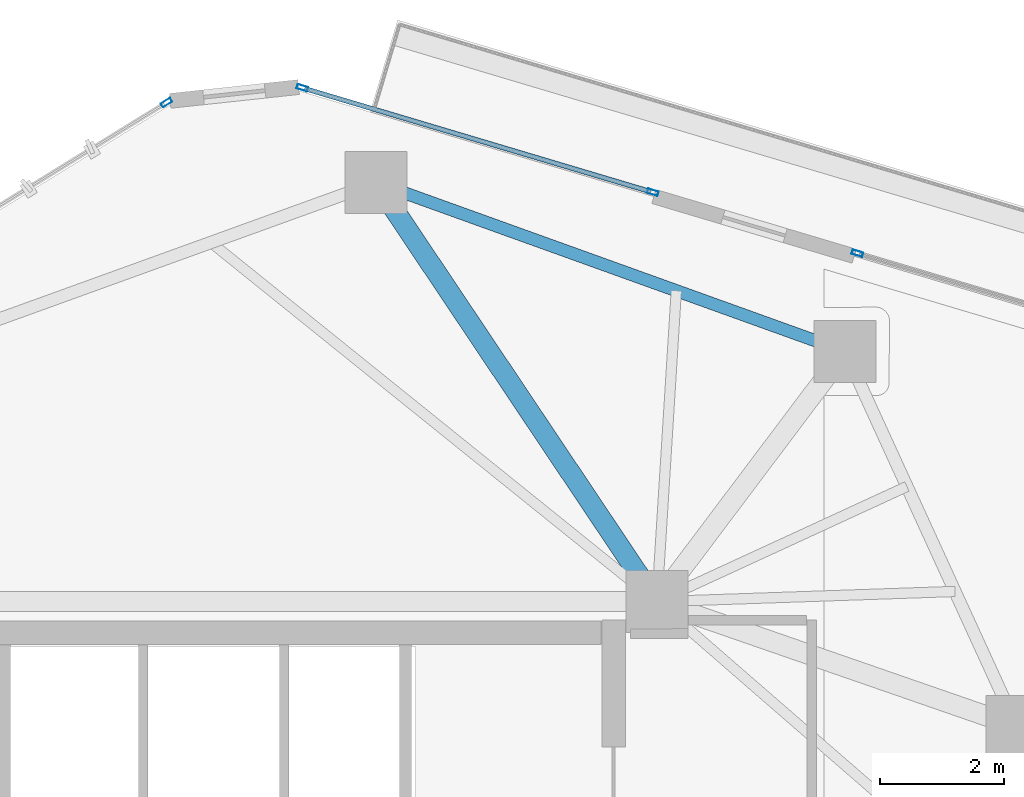
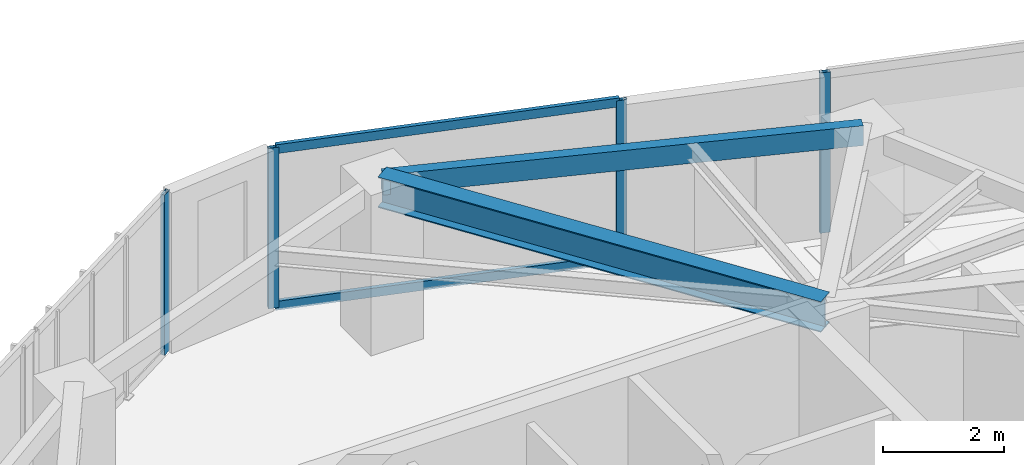
# One storey, part 13 of 21: 6 members, 2 beams, 3 elements without a shape of their own.
"""IFC4 building model written with IfcOpenShell, lengths in metres."""

from ifc_helpers import new_model, si_unit, direction, frame, origin, origin_2d, place, context, subcontext, project, spatial, hollow_rectangle, i_section, extrude, source, transform, mapped, material, layer, layer_set, material_profile, profile_set, type_object, type_shapes, element, aggregate, save


model = new_model("IFC4")

# Units and contexts
model_context = context("Model", 3, precision=1e-05, world=origin(), true_north=direction((0.0, 1.0)))
body_context = subcontext(model_context, "Body", "Model", "MODEL_VIEW")
ifc_project = project(units=[si_unit("LENGTHUNIT", "METRE"), si_unit("AREAUNIT", "SQUARE_METRE"), si_unit("VOLUMEUNIT", "CUBIC_METRE"), si_unit("PLANEANGLEUNIT", "RADIAN"), si_unit("MASSUNIT", "GRAM", prefix="KILO")], contexts=[model_context])

# Site, building, storey
site_placement = place(None, origin())
site = spatial("IfcSite", under=ifc_project, at=site_placement, CompositionType="ELEMENT")
building_placement = place(site_placement, origin())
building = spatial("IfcBuilding", under=site, at=building_placement, Name="Talar Marvaseh", CompositionType="ELEMENT")
storey_placement = place(building_placement, frame((0.0, 0.0, 184.5)))
storey = spatial("IfcBuildingStorey", under=building, at=storey_placement, Name="L48", CompositionType="ELEMENT", Elevation=184.5)

# Beams
ifc_material_1 = material(Name="Steel S355", Category="steel")
ifc_material_profile_1 = material_profile(ifc_material_1, hollow_rectangle(XDim=0.199951171875, YDim=0.39990234375, WallThickness=0.013916015625, at=origin_2d()), Name="RHS400x200x14")
ifc_profile_set_1 = profile_set([ifc_material_profile_1], Name="Steel S355")
beam_type_1 = type_object("IfcBeamType", Name="Zone 3 Perimeter Spandrel Beam RHS400x200x14", PredefinedType="SPANDREL", material=ifc_profile_set_1)
beam_1_placement = place(storey_placement, frame((28.76611328125, 43.66796875, 3.030029296875), z_axis=(0.940923359576, -0.3386195969, 0.0), x_axis=(0.3386195969, 0.940923359576, 0.0)))
element("IfcBeam", 1, at=beam_1_placement, inside=storey, type_object=beam_type_1, Name="L48 Zone 3 Perimeter Spandrel Beam RHS400x200x14", PredefinedType="SPANDREL", context=body_context, shape_type="SweptSolid", body=[
    extrude(hollow_rectangle(XDim=0.199951171875, YDim=0.39990234375, WallThickness=0.013916015625, at=origin_2d()), origin(), (0.0, 0.0, 1.0), 8.050537109375),
])
ifc_material_profile_2 = material_profile(ifc_material_1, i_section(OverallWidth=0.324951171875, OverallDepth=0.615966796875, WebThickness=0.013916015625, FlangeThickness=0.021484375, at=origin_2d()), Name="W610x174")
ifc_profile_set_2 = profile_set([ifc_material_profile_2], Name="Steel S355")
beam_type_2 = type_object("IfcBeamType", Name="Zone 3 Radial Floor Girder W610x174", PredefinedType="BEAM", material=ifc_profile_set_2)
beam_2_placement = place(storey_placement, frame((28.76611328125, 43.66796875, 2.922119140625), z_axis=(0.556559209375, -0.830807948, 0.0), x_axis=(0.830807948, 0.556559209375, 0.0)))
element("IfcBeam", 2, at=beam_2_placement, inside=storey, type_object=beam_type_2, Name="L48 Zone 3 Radial Floor Girder W610x174", PredefinedType="BEAM", context=body_context, shape_type="SweptSolid", body=[
    extrude(i_section(OverallWidth=0.324951171875, OverallDepth=0.615966796875, WebThickness=0.013916015625, FlangeThickness=0.021484375, at=origin_2d()), origin(), (0.0, 0.0, 1.0), 8.146484375),
])

# Curtain wall, member
ifc_material_2 = material(Name="Architectural Aluminium", Category="aluminium")
ifc_layer = layer(ifc_material_2, 0.18994140625)
ifc_layer_set = layer_set([ifc_layer], Name="Architectural Aluminium")
curtain_wall_type = type_object("IfcCurtainWallType", Name="Unitised Solar Atelier Curtain Wall Z3", PredefinedType="NOTDEFINED", material=ifc_layer_set)
curtain_wall_1_placement = place(storey_placement, origin())
curtain_wall_1 = element("IfcCurtainWall", 3, at=curtain_wall_1_placement, inside=storey, type_object=curtain_wall_type, Name="L48 Unitised Solar Atelier Curtain Wall Z3", PredefinedType="NOTDEFINED")
ifc_material_profile_3 = material_profile(ifc_material_2, hollow_rectangle(XDim=0.074951171875, YDim=0.179931640625, WallThickness=0.0048828125, at=origin_2d()), Name="RHS180x75x5")
ifc_profile_set_3 = profile_set([ifc_material_profile_3], Name="Architectural Aluminium")
member_type_1 = type_object("IfcMemberType", Name="Unitised Curtain Wall Standard Mullion RHS180x75x5", PredefinedType="MULLION", material=ifc_profile_set_3)
shared_shape_1 = source(origin(), body_context, "Body", "SweptSolid", [
    extrude(hollow_rectangle(XDim=0.074951171875, YDim=0.179931640625, WallThickness=0.0048828125, at=origin_2d()), origin(), (0.0, 0.0, 1.0), 3.22998046875),
])
type_shapes(member_type_1, [shared_shape_1])
member_1_placement = place(storey_placement, frame((25.37939453125, 44.9619140625, 0.0), z_axis=(0.0, 0.0, 1.0), x_axis=(-0.525203385249, 0.850976735359, 0.0)))
member_1 = element("IfcMember", 4, at=member_1_placement, type_object=member_type_1, Name="CW-Z3 mullion 4", PredefinedType="MULLION", context=body_context, shape_type="MappedRepresentation", body=[
    mapped(shared_shape_1, transform((0.0, 0.0, 0.0), x_axis=(1.0, 0.0, 0.0), y_axis=(0.0, 1.0, 0.0), z_axis=(0.0, 0.0, 1.0), scale=1.0)),
])
aggregate(curtain_wall_1, [member_1])

# Curtain wall, members
curtain_wall_2_placement = place(storey_placement, origin())
curtain_wall_2 = element("IfcCurtainWall", 5, at=curtain_wall_2_placement, inside=storey, type_object=curtain_wall_type, Name="L48 Unitised Solar Atelier Curtain Wall Z3", PredefinedType="NOTDEFINED")
member_2_placement = place(storey_placement, frame((27.57275390625, 45.199951171875, 0.0), z_axis=(0.0, 0.0, 1.0), x_axis=(0.285629795133, 0.958340033669, 0.0)))
member_2 = element("IfcMember", 6, at=member_2_placement, type_object=member_type_1, Name="CW-Z3 mullion 1", PredefinedType="MULLION", context=body_context, shape_type="MappedRepresentation", body=[
    mapped(shared_shape_1, transform((0.0, 0.0, 0.0), x_axis=(1.0, 0.0, 0.0), y_axis=(0.0, 1.0, 0.0), z_axis=(0.0, 0.0, 1.0), scale=1.0)),
])
member_3_placement = place(storey_placement, frame((33.233642578125, 43.5126953125, 0.0), z_axis=(0.0, 0.0, 1.0), x_axis=(0.285629795133, 0.958340033669, 0.0)))
member_3 = element("IfcMember", 7, at=member_3_placement, type_object=member_type_1, Name="CW-Z3 mullion 2", PredefinedType="MULLION", context=body_context, shape_type="MappedRepresentation", body=[
    mapped(shared_shape_1, transform((0.0, 0.0, 0.0), x_axis=(1.0, 0.0, 0.0), y_axis=(0.0, 1.0, 0.0), z_axis=(0.0, 0.0, 1.0), scale=1.0)),
])

# Curtain wall, member
curtain_wall_3_placement = place(storey_placement, origin())
curtain_wall_3 = element("IfcCurtainWall", 8, at=curtain_wall_3_placement, inside=storey, type_object=curtain_wall_type, Name="L48 Unitised Solar Atelier Curtain Wall Z3", PredefinedType="NOTDEFINED")
member_4_placement = place(storey_placement, frame((36.53955078125, 42.527587890625, 0.0), z_axis=(0.0, 0.0, 1.0), x_axis=(0.285629795133, 0.958340033669, 0.0)))
member_4 = element("IfcMember", 9, at=member_4_placement, type_object=member_type_1, Name="CW-Z3 mullion 1", PredefinedType="MULLION", context=body_context, shape_type="MappedRepresentation", body=[
    mapped(shared_shape_1, transform((0.0, 0.0, 0.0), x_axis=(1.0, 0.0, 0.0), y_axis=(0.0, 1.0, 0.0), z_axis=(0.0, 0.0, 1.0), scale=1.0)),
])
aggregate(curtain_wall_3, [member_4])

# Member
ifc_material_profile_4 = material_profile(ifc_material_2, hollow_rectangle(XDim=0.074951171875, YDim=0.179931640625, WallThickness=0.0048828125, at=origin_2d()), Name="RHS180x75x5")
ifc_profile_set_4 = profile_set([ifc_material_profile_4], Name="Architectural Aluminium")
member_type_2 = type_object("IfcMemberType", Name="Unitised Curtain Wall Transom RHS180x75x5", PredefinedType="USERDEFINED", material=ifc_profile_set_4)
shared_shape_2 = source(origin(), body_context, "Body", "SweptSolid", [
    extrude(hollow_rectangle(XDim=0.074951171875, YDim=0.179931640625, WallThickness=0.0048828125, at=origin_2d()), origin(), (0.0, 0.0, 1.0), 5.83203125),
])
type_shapes(member_type_2, [shared_shape_2])
member_5_placement = place(storey_placement, frame((27.608642578125, 45.189208984375, 0.03759765625), z_axis=(0.958342052583, -0.285623021219, 0.0), x_axis=(0.285623021219, 0.958342052583, 0.0)))
member_5 = element("IfcMember", 10, at=member_5_placement, type_object=member_type_2, Name="CW-Z3 transom 1.1", ObjectType="TRANSOM", PredefinedType="USERDEFINED", context=body_context, shape_type="MappedRepresentation", body=[
    mapped(shared_shape_2, transform((0.0, 0.0, 0.0), x_axis=(1.0, 0.0, 0.0), y_axis=(0.0, 1.0, 0.0), z_axis=(0.0, 0.0, 1.0), scale=1.0)),
])

member_6_placement = place(storey_placement, frame((27.608642578125, 45.189208984375, 3.1923828125), z_axis=(0.958342052583, -0.285623021219, 0.0), x_axis=(0.285623021219, 0.958342052583, 0.0)))
member_6 = element("IfcMember", 11, at=member_6_placement, type_object=member_type_2, Name="CW-Z3 transom 1.2", ObjectType="TRANSOM", PredefinedType="USERDEFINED", context=body_context, shape_type="MappedRepresentation", body=[
    mapped(shared_shape_2, transform((0.0, 0.0, 0.0), x_axis=(1.0, 0.0, 0.0), y_axis=(0.0, 1.0, 0.0), z_axis=(0.0, 0.0, 1.0), scale=1.0)),
])

aggregate(curtain_wall_2, [member_2, member_3, member_5, member_6])

save(model, "model.ifc")
